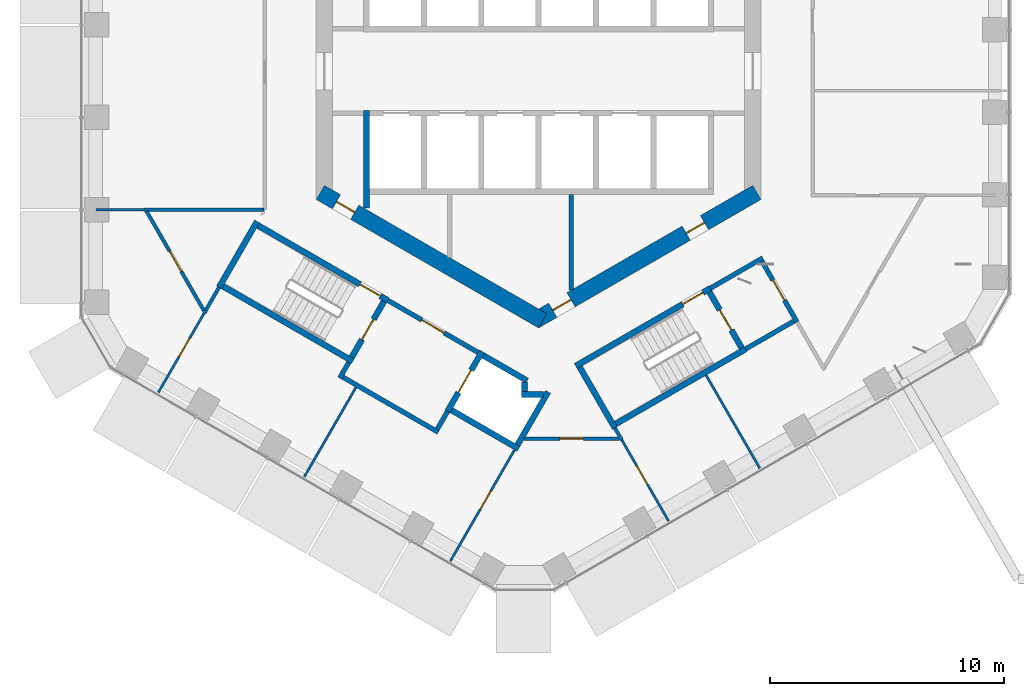
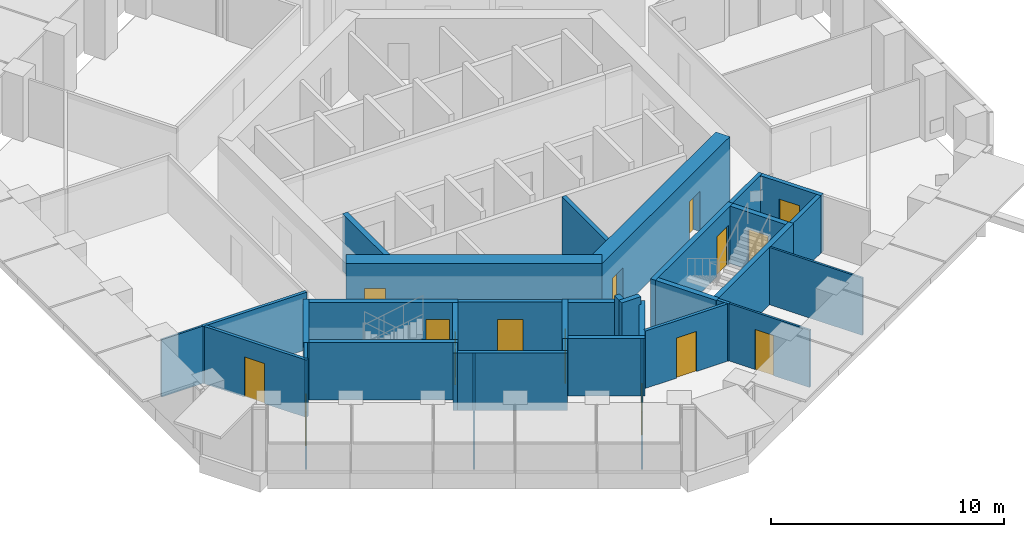
# One storey, part 13 of 21: 36 walls, 15 doors, 15 openings.
"""IFC4 building model written with IfcOpenShell, lengths in metres."""

from ifc_helpers import new_model, si_unit, direction, frame, frame_2d, origin, place, context, subcontext, project, spatial, rectangle, extrude, material, layer, layer_set, type_object, element, fill, save


model = new_model("IFC4")

# Units and contexts
model_context = context("Model", 3, precision=1e-05, world=origin(), true_north=direction((0.0, 1.0)))
body_context = subcontext(model_context, "Body", "Model", "MODEL_VIEW")
ifc_project = project(units=[si_unit("LENGTHUNIT", "METRE"), si_unit("AREAUNIT", "SQUARE_METRE"), si_unit("VOLUMEUNIT", "CUBIC_METRE"), si_unit("PLANEANGLEUNIT", "RADIAN"), si_unit("MASSUNIT", "GRAM", prefix="KILO")], contexts=[model_context])

# Site, building, storey
site_placement = place(None, origin())
site = spatial("IfcSite", under=ifc_project, at=site_placement, CompositionType="ELEMENT")
building_placement = place(site_placement, origin())
building = spatial("IfcBuilding", under=site, at=building_placement, Name="Ayvan Gate Tower", CompositionType="ELEMENT")
storey_placement = place(building_placement, frame((0.0, 0.0, 117.10009765625)))
storey = spatial("IfcBuildingStorey", under=building, at=storey_placement, Name="L31", CompositionType="ELEMENT", Elevation=117.10009765625)

# Wall, opening, door
ifc_material_1 = material(Name="Concrete C70/85", Category="concrete")
ifc_layer_1 = layer(ifc_material_1, 0.699951171875)
ifc_layer_set_1 = layer_set([ifc_layer_1], Name="Concrete C70/85")
wall_type_1 = type_object("IfcWallType", Name="Core wall 700 C70/85", PredefinedType="SHEAR", material=ifc_layer_set_1)
wall_1_placement = place(storey_placement, frame((-9.324951171875, -5.181640625, 0.0), z_axis=(0.0, 0.0, 1.0), x_axis=(0.866023993627, -0.500002442456, 0.0)))
wall_1 = element("IfcWall", 1, at=wall_1_placement, inside=storey, type_object=wall_type_1, Name="CORE-L31-4", PredefinedType="SHEAR", context=body_context, shape_type="SweptSolid", body=[
    extrude(rectangle(XDim=10.9697265625, YDim=0.699951171875, at=frame_2d((5.48486328125, 0.0))), origin(), (0.0, 0.0, 1.0), 3.39990234375),
])
opening_1_placement = place(wall_1_placement, frame((0.800537109375, 0.0, 0.0)))
opening_1 = element("IfcOpeningElement", 2, at=opening_1_placement, cuts=wall_1, Name="Opening L31-D34", PredefinedType="OPENING", context=body_context, shape_type="SweptSolid", body=[
    extrude(rectangle(XDim=0.89990234375, YDim=2.10009765625, at=frame_2d((0.449951171875, 1.050048828125))), frame((0.0, 0.35986328125, 0.0), z_axis=(0.0, -1.0, 0.0), x_axis=(1.0, 0.0, 0.0)), (0.0, 0.0, 1.0), 0.719970703125),
])
ifc_material_2 = material(Name="Timber door leaf", Category="wood")
door_type_1 = type_object("IfcDoorType", Name="DT-900", OperationType="NOTDEFINED", PredefinedType="DOOR", material=ifc_material_2)
door_1_placement = place(opening_1_placement, origin())
door_1 = element("IfcDoor", 3, at=door_1_placement, inside=storey, type_object=door_type_1, Name="CD-L31-34", OperationType="SINGLE_SWING_LEFT", OverallHeight=2.10009765625, OverallWidth=0.89990234375, PredefinedType="DOOR", context=body_context, shape_type="SweptSolid", body=[
    extrude(rectangle(XDim=0.89990234375, YDim=2.10009765625, at=frame_2d((0.449951171875, 1.050048828125))), frame((0.0, 0.02490234375, 0.0), z_axis=(0.0, -1.0, 0.0), x_axis=(1.0, 0.0, 0.0)), (0.0, 0.0, 1.0), 0.050048828125),
])
fill(opening_1, door_1)

# Wall, openings, doors
wall_2_placement = place(storey_placement, frame((-0.175048828125, -10.66650390625, 0.0), z_axis=(0.0, 0.0, 1.0), x_axis=(0.866023993627, 0.500002442456, 0.0)))
wall_2 = element("IfcWall", 4, at=wall_2_placement, inside=storey, type_object=wall_type_1, Name="CORE-L31-5", PredefinedType="SHEAR", context=body_context, shape_type="SweptSolid", body=[
    extrude(rectangle(XDim=10.9697265625, YDim=0.699951171875, at=frame_2d((5.48486328125, 0.0))), origin(), (0.0, 0.0, 1.0), 3.39990234375),
])
opening_2_placement = place(wall_2_placement, frame((0.89990234375, 0.0, 0.0)))
opening_2 = element("IfcOpeningElement", 5, at=opening_2_placement, cuts=wall_2, Name="Opening L31-D35", PredefinedType="OPENING", context=body_context, shape_type="SweptSolid", body=[
    extrude(rectangle(XDim=0.89990234375, YDim=2.10009765625, at=frame_2d((0.449951171875, 1.050048828125))), frame((0.0, 0.35986328125, 0.0), z_axis=(0.0, -1.0, 0.0), x_axis=(1.0, 0.0, 0.0)), (0.0, 0.0, 1.0), 0.719970703125),
])
opening_3_placement = place(wall_2_placement, frame((7.4833984375, 0.0, 0.0)))
opening_3 = element("IfcOpeningElement", 6, at=opening_3_placement, cuts=wall_2, Name="Opening L31-D36", PredefinedType="OPENING", context=body_context, shape_type="SweptSolid", body=[
    extrude(rectangle(XDim=0.89990234375, YDim=2.10009765625, at=frame_2d((0.449951171875, 1.050048828125))), frame((0.0, 0.35986328125, 0.0), z_axis=(0.0, -1.0, 0.0), x_axis=(1.0, 0.0, 0.0)), (0.0, 0.0, 1.0), 0.719970703125),
])
door_2_placement = place(opening_2_placement, origin())
door_2 = element("IfcDoor", 7, at=door_2_placement, inside=storey, type_object=door_type_1, Name="CD-L31-35", OperationType="SINGLE_SWING_RIGHT", OverallHeight=2.10009765625, OverallWidth=0.89990234375, PredefinedType="DOOR", context=body_context, shape_type="SweptSolid", body=[
    extrude(rectangle(XDim=0.89990234375, YDim=2.10009765625, at=frame_2d((0.449951171875, 1.050048828125))), frame((0.0, 0.02490234375, 0.0), z_axis=(0.0, -1.0, 0.0), x_axis=(1.0, 0.0, 0.0)), (0.0, 0.0, 1.0), 0.050048828125),
])
fill(opening_2, door_2)
door_3_placement = place(opening_3_placement, origin())
door_3 = element("IfcDoor", 8, at=door_3_placement, inside=storey, type_object=door_type_1, Name="CD-L31-36", OperationType="SINGLE_SWING_LEFT", OverallHeight=2.10009765625, OverallWidth=0.89990234375, PredefinedType="DOOR", context=body_context, shape_type="SweptSolid", body=[
    extrude(rectangle(XDim=0.89990234375, YDim=2.10009765625, at=frame_2d((0.449951171875, 1.050048828125))), frame((0.0, 0.02490234375, 0.0), z_axis=(0.0, -1.0, 0.0), x_axis=(1.0, 0.0, 0.0)), (0.0, 0.0, 1.0), 0.050048828125),
])
fill(opening_3, door_3)

# Wall
ifc_material_3 = material(Name="Plasterboard on steel stud", Category="steel")
ifc_layer_2 = layer(ifc_material_3, 0.14990234375)
ifc_layer_set_2 = layer_set([ifc_layer_2], Name="Plasterboard on steel stud")
wall_type_2 = type_object("IfcWallType", Name="WT-CORR-150", PredefinedType="PARTITIONING", material=ifc_layer_set_2)
wall_3_placement = place(storey_placement, frame((-16.858642578125, -5.91650390625, 0.0), z_axis=(0.0, 0.0, 1.0), x_axis=(1.0, 0.0, 0.0)))
element("IfcWall", 9, at=wall_3_placement, inside=storey, type_object=wall_type_2, Name="IW-L31-002", PredefinedType="PARTITIONING", context=body_context, shape_type="SweptSolid", body=[
    extrude(rectangle(XDim=5.12890625, YDim=0.14990234375, at=frame_2d((2.564453125, 0.0))), origin(), (0.0, 0.0, 1.0), 3.0),
])

# Wall, opening, door
wall_4_placement = place(storey_placement, frame((-14.21923828125, -10.358154296875, 0.0), z_axis=(0.0, 0.0, 1.0), x_axis=(-0.499973348067, 0.866040790738, 0.0)))
wall_4 = element("IfcWall", 10, at=wall_4_placement, inside=storey, type_object=wall_type_2, Name="IW-L31-005", PredefinedType="PARTITIONING", context=body_context, shape_type="SweptSolid", body=[
    extrude(rectangle(XDim=5.053955078125, YDim=0.14990234375, at=frame_2d((2.52685546875, 0.0))), origin(), (0.0, 0.0, 1.0), 3.0),
])
opening_4_placement = place(wall_4_placement, frame((2.081787109375, 0.0, 0.0)))
opening_4 = element("IfcOpeningElement", 11, at=opening_4_placement, cuts=wall_4, Name="Opening L31-D23", PredefinedType="OPENING", context=body_context, shape_type="SweptSolid", body=[
    extrude(rectangle(XDim=1.0, YDim=2.10009765625, at=frame_2d((0.5, 1.050048828125))), frame((0.0, 0.0849609375, 0.0), z_axis=(0.0, -1.0, 0.0), x_axis=(1.0, 0.0, 0.0)), (0.0, 0.0, 1.0), 0.169921875),
])
door_type_2 = type_object("IfcDoorType", Name="DT-1000", OperationType="NOTDEFINED", PredefinedType="DOOR", material=ifc_material_2)
door_4_placement = place(opening_4_placement, origin())
door_4 = element("IfcDoor", 12, at=door_4_placement, inside=storey, type_object=door_type_2, Name="ID-L31-023", OperationType="SINGLE_SWING_RIGHT", OverallHeight=2.10009765625, OverallWidth=1.0, PredefinedType="DOOR", context=body_context, shape_type="SweptSolid", body=[
    extrude(rectangle(XDim=1.0, YDim=2.10009765625, at=frame_2d((0.5, 1.050048828125))), frame((0.0, 0.02490234375, 0.0), z_axis=(0.0, -1.0, 0.0), x_axis=(1.0, 0.0, 0.0)), (0.0, 0.0, 1.0), 0.050048828125),
])
fill(opening_4, door_4)

# Walls
wall_5_placement = place(storey_placement, frame((-13.647705078125, -9.23876953125, 0.0), z_axis=(0.0, 0.0, 1.0), x_axis=(-0.50016012799, -0.865932934106, 0.0)))
element("IfcWall", 13, at=wall_5_placement, inside=storey, type_object=wall_type_2, Name="IW-L31-008", PredefinedType="PARTITIONING", context=body_context, shape_type="SweptSolid", body=[
    extrude(rectangle(XDim=1.142822265625, YDim=0.14990234375, at=frame_2d((0.5712890625, 0.0))), origin(), (0.0, 0.0, 1.0), 3.0),
])
wall_6_placement = place(storey_placement, frame((3.255615234375, -15.23876953125, 0.0), z_axis=(0.0, 0.0, 1.0), x_axis=(0.499816412211, -0.866131372301, 0.0)))
element("IfcWall", 14, at=wall_6_placement, inside=storey, type_object=wall_type_2, Name="IW-L31-062", PredefinedType="PARTITIONING", context=body_context, shape_type="SweptSolid", body=[
    extrude(rectangle(XDim=0.599853515625, YDim=0.14990234375, at=frame_2d((0.2998046875, 0.0))), origin(), (0.0, 0.0, 1.0), 3.0),
])

# Wall, opening, door
wall_7_placement = place(storey_placement, frame((3.44287109375, -15.693359375, 0.0), z_axis=(0.0, 0.0, 1.0), x_axis=(-1.0, 0.0, 0.0)))
wall_7 = element("IfcWall", 15, at=wall_7_placement, inside=storey, type_object=wall_type_2, Name="IW-L31-065", PredefinedType="PARTITIONING", context=body_context, shape_type="SweptSolid", body=[
    extrude(rectangle(XDim=4.064453125, YDim=0.14990234375, at=frame_2d((2.0322265625, 0.0))), origin(), (0.0, 0.0, 1.0), 3.0),
])
opening_5_placement = place(wall_7_placement, frame((1.5322265625, 0.0, 0.0)))
opening_5 = element("IfcOpeningElement", 16, at=opening_5_placement, cuts=wall_7, Name="Opening L31-D25", PredefinedType="OPENING", context=body_context, shape_type="SweptSolid", body=[
    extrude(rectangle(XDim=1.0, YDim=2.10009765625, at=frame_2d((0.5, 1.050048828125))), frame((0.0, 0.0849609375, 0.0), z_axis=(0.0, -1.0, 0.0), x_axis=(1.0, 0.0, 0.0)), (0.0, 0.0, 1.0), 0.169921875),
])
door_5_placement = place(opening_5_placement, origin())
door_5 = element("IfcDoor", 17, at=door_5_placement, inside=storey, type_object=door_type_2, Name="ID-L31-025", OperationType="SINGLE_SWING_RIGHT", OverallHeight=2.10009765625, OverallWidth=1.0, PredefinedType="DOOR", context=body_context, shape_type="SweptSolid", body=[
    extrude(rectangle(XDim=1.0, YDim=2.10009765625, at=frame_2d((0.5, 1.050048828125))), frame((0.0, 0.02490234375, 0.0), z_axis=(0.0, -1.0, 0.0), x_axis=(1.0, 0.0, 0.0)), (0.0, 0.0, 1.0), 0.050048828125),
])
fill(opening_5, door_5)

# Wall
ifc_layer_3 = layer(ifc_material_3, 0.10009765625)
ifc_layer_set_3 = layer_set([ifc_layer_3], Name="Plasterboard on steel stud")
wall_type_3 = type_object("IfcWallType", Name="WT-PART-100", PredefinedType="PARTITIONING", material=ifc_layer_set_3)
wall_8_placement = place(storey_placement, frame((-16.8583984375, -5.91650390625, 0.0), z_axis=(0.0, 0.0, 1.0), x_axis=(-1.0, 0.0, 0.0)))
element("IfcWall", 18, at=wall_8_placement, inside=storey, type_object=wall_type_3, Name="IW-L31-003", PredefinedType="PARTITIONING", context=body_context, shape_type="SweptSolid", body=[
    extrude(rectangle(XDim=2.03369140625, YDim=0.10009765625, at=frame_2d((1.016845703125, 0.0))), origin(), (0.0, 0.0, 1.0), 3.0),
])

# Wall, opening, door
wall_9_placement = place(storey_placement, frame((-14.294189453125, -10.358154296875, 0.0), z_axis=(0.0, 0.0, 1.0), x_axis=(-0.499994147244, -0.866028782848, 0.0)))
wall_9 = element("IfcWall", 19, at=wall_9_placement, inside=storey, type_object=wall_type_3, Name="IW-L31-006", PredefinedType="PARTITIONING", context=body_context, shape_type="SweptSolid", body=[
    extrude(rectangle(XDim=3.88916015625, YDim=0.10009765625, at=frame_2d((1.944580078125, 0.0))), origin(), (0.0, 0.0, 1.0), 3.0),
])
opening_6_placement = place(wall_9_placement, frame((1.23388671875, 0.0, 0.0)))
opening_6 = element("IfcOpeningElement", 20, at=opening_6_placement, cuts=wall_9, Name="Opening L31-D24", PredefinedType="OPENING", context=body_context, shape_type="SweptSolid", body=[
    extrude(rectangle(XDim=0.89990234375, YDim=2.10009765625, at=frame_2d((0.449951171875, 1.050048828125))), frame((0.0, 0.06005859375, 0.0), z_axis=(0.0, -1.0, 0.0), x_axis=(1.0, 0.0, 0.0)), (0.0, 0.0, 1.0), 0.1201171875),
])
door_6_placement = place(opening_6_placement, origin())
door_6 = element("IfcDoor", 21, at=door_6_placement, inside=storey, type_object=door_type_1, Name="ID-L31-024", OperationType="SINGLE_SWING_LEFT", OverallHeight=2.10009765625, OverallWidth=0.89990234375, PredefinedType="DOOR", context=body_context, shape_type="SweptSolid", body=[
    extrude(rectangle(XDim=0.89990234375, YDim=2.10009765625, at=frame_2d((0.449951171875, 1.050048828125))), frame((0.0, 0.02490234375, 0.0), z_axis=(0.0, -1.0, 0.0), x_axis=(1.0, 0.0, 0.0)), (0.0, 0.0, 1.0), 0.050048828125),
])
fill(opening_6, door_6)

# Wall
wall_10_placement = place(storey_placement, frame((-7.800048828125, -13.510009765625, 0.0), z_axis=(0.0, 0.0, 1.0), x_axis=(-0.5000181976, -0.86601489714, 0.0)))
element("IfcWall", 22, at=wall_10_placement, inside=storey, type_object=wall_type_3, Name="IW-L31-017", PredefinedType="PARTITIONING", context=body_context, shape_type="SweptSolid", body=[
    extrude(rectangle(XDim=4.406494140625, YDim=0.10009765625, at=frame_2d((2.203125, 0.0))), origin(), (0.0, 0.0, 1.0), 3.0),
])

# Wall, opening, door
wall_11_placement = place(storey_placement, frame((-3.767822265625, -20.92626953125, 0.0), z_axis=(0.0, 0.0, 1.0), x_axis=(0.499980760091, 0.866036511666, 0.0)))
wall_11 = element("IfcWall", 23, at=wall_11_placement, inside=storey, type_object=wall_type_3, Name="IW-L31-033", PredefinedType="PARTITIONING", context=body_context, shape_type="SweptSolid", body=[
    extrude(rectangle(XDim=5.481689453125, YDim=0.10009765625, at=frame_2d((2.74072265625, 0.0))), origin(), (0.0, 0.0, 1.0), 3.0),
])
opening_7_placement = place(wall_11_placement, frame((2.55126953125, 0.0, 0.0)))
opening_7 = element("IfcOpeningElement", 24, at=opening_7_placement, cuts=wall_11, Name="Opening L31-D26", PredefinedType="OPENING", context=body_context, shape_type="SweptSolid", body=[
    extrude(rectangle(XDim=0.89990234375, YDim=2.10009765625, at=frame_2d((0.449951171875, 1.050048828125))), frame((0.0, 0.06005859375, 0.0), z_axis=(0.0, -1.0, 0.0), x_axis=(1.0, 0.0, 0.0)), (0.0, 0.0, 1.0), 0.1201171875),
])
door_7_placement = place(opening_7_placement, origin())
door_7 = element("IfcDoor", 25, at=door_7_placement, inside=storey, type_object=door_type_1, Name="ID-L31-026", OperationType="SINGLE_SWING_LEFT", OverallHeight=2.10009765625, OverallWidth=0.89990234375, PredefinedType="DOOR", context=body_context, shape_type="SweptSolid", body=[
    extrude(rectangle(XDim=0.89990234375, YDim=2.10009765625, at=frame_2d((0.449951171875, 1.050048828125))), frame((0.0, 0.02490234375, 0.0), z_axis=(0.0, -1.0, 0.0), x_axis=(1.0, 0.0, 0.0)), (0.0, 0.0, 1.0), 0.050048828125),
])
fill(opening_7, door_7)

wall_12_placement = place(storey_placement, frame((3.555419921875, -15.75830078125, 0.0), z_axis=(0.0, 0.0, 1.0), x_axis=(0.500010364181, -0.866019419939, 0.0)))
wall_12 = element("IfcWall", 26, at=wall_12_placement, inside=storey, type_object=wall_type_3, Name="IW-L31-066", PredefinedType="PARTITIONING", context=body_context, shape_type="SweptSolid", body=[
    extrude(rectangle(XDim=3.98828125, YDim=0.10009765625, at=frame_2d((1.994140625, 0.0))), origin(), (0.0, 0.0, 1.0), 3.0),
])
opening_8_placement = place(wall_12_placement, frame((1.28369140625, 0.0, 0.0)))
opening_8 = element("IfcOpeningElement", 27, at=opening_8_placement, cuts=wall_12, Name="Opening L31-D27", PredefinedType="OPENING", context=body_context, shape_type="SweptSolid", body=[
    extrude(rectangle(XDim=0.89990234375, YDim=2.10009765625, at=frame_2d((0.449951171875, 1.050048828125))), frame((0.0, 0.06005859375, 0.0), z_axis=(0.0, -1.0, 0.0), x_axis=(1.0, 0.0, 0.0)), (0.0, 0.0, 1.0), 0.1201171875),
])
door_8_placement = place(opening_8_placement, origin())
door_8 = element("IfcDoor", 28, at=door_8_placement, inside=storey, type_object=door_type_1, Name="ID-L31-027", OperationType="SINGLE_SWING_RIGHT", OverallHeight=2.10009765625, OverallWidth=0.89990234375, PredefinedType="DOOR", context=body_context, shape_type="SweptSolid", body=[
    extrude(rectangle(XDim=0.89990234375, YDim=2.10009765625, at=frame_2d((0.449951171875, 1.050048828125))), frame((0.0, 0.02490234375, 0.0), z_axis=(0.0, -1.0, 0.0), x_axis=(1.0, 0.0, 0.0)), (0.0, 0.0, 1.0), 0.050048828125),
])
fill(opening_8, door_8)

# Walls
wall_13_placement = place(storey_placement, frame((7.152587890625, -12.98876953125, 0.0), z_axis=(0.0, 0.0, 1.0), x_axis=(0.500024917322, -0.866011017284, 0.0)))
element("IfcWall", 29, at=wall_13_placement, inside=storey, type_object=wall_type_3, Name="IW-L31-073", PredefinedType="PARTITIONING", context=body_context, shape_type="SweptSolid", body=[
    extrude(rectangle(XDim=4.588134765625, YDim=0.10009765625, at=frame_2d((2.2939453125, 0.0))), origin(), (0.0, 0.0, 1.0), 3.0),
])
ifc_layer_4 = layer(ifc_material_3, 0.199951171875)
ifc_layer_set_4 = layer_set([ifc_layer_4], Name="Plasterboard on steel stud")
wall_type_4 = type_object("IfcWallType", Name="WT-RATED-200", PredefinedType="PARTITIONING", material=ifc_layer_set_4)
wall_14_placement = place(storey_placement, frame((-8.492919921875, -13.110107421875, 0.0), z_axis=(0.0, 0.0, 1.0), x_axis=(0.500067724834, 0.865986299303, 0.0)))
element("IfcWall", 30, at=wall_14_placement, inside=storey, type_object=wall_type_4, Name="IW-L31-015", PredefinedType="PARTITIONING", context=body_context, shape_type="SweptSolid", body=[
    extrude(rectangle(XDim=0.775390625, YDim=0.199951171875, at=frame_2d((0.3876953125, 0.0))), origin(), (0.0, 0.0, 1.0), 3.0),
])
wall_15_placement = place(storey_placement, frame((-8.356201171875, -13.073486328125, 0.0), z_axis=(0.0, 0.0, 1.0), x_axis=(0.866038532462, -0.499977259774, 0.0)))
element("IfcWall", 31, at=wall_15_placement, inside=storey, type_object=wall_type_4, Name="IW-L31-018", PredefinedType="PARTITIONING", context=body_context, shape_type="SweptSolid", body=[
    extrude(rectangle(XDim=4.699951171875, YDim=0.199951171875, at=frame_2d((2.35009765625, 0.0))), origin(), (0.0, 0.0, 1.0), 3.0),
])

# Wall, opening, door
wall_16_placement = place(storey_placement, frame((-6.4345703125, -9.794921875, 0.0), z_axis=(0.0, 0.0, 1.0), x_axis=(0.866012907634, -0.500021643343, 0.0)))
wall_16 = element("IfcWall", 32, at=wall_16_placement, inside=storey, type_object=wall_type_4, Name="IW-L31-025", PredefinedType="PARTITIONING", context=body_context, shape_type="SweptSolid", body=[
    extrude(rectangle(XDim=4.449951171875, YDim=0.199951171875, at=frame_2d((2.22509765625, 0.0))), origin(), (0.0, 0.0, 1.0), 3.0),
])
opening_9_placement = place(wall_16_placement, frame((1.675048828125, 0.0, 0.0)))
opening_9 = element("IfcOpeningElement", 33, at=opening_9_placement, cuts=wall_16, Name="Opening L31-D12", PredefinedType="OPENING", context=body_context, shape_type="SweptSolid", body=[
    extrude(rectangle(XDim=1.10009765625, YDim=2.10009765625, at=frame_2d((0.550048828125, 1.050048828125))), frame((0.0, 0.10986328125, 0.0), z_axis=(0.0, -1.0, 0.0), x_axis=(1.0, 0.0, 0.0)), (0.0, 0.0, 1.0), 0.219970703125),
])
door_type_3 = type_object("IfcDoorType", Name="DT-1100", OperationType="NOTDEFINED", PredefinedType="DOOR", material=ifc_material_2)
door_9_placement = place(opening_9_placement, origin())
door_9 = element("IfcDoor", 34, at=door_9_placement, inside=storey, type_object=door_type_3, Name="ID-L31-012", OperationType="SINGLE_SWING_LEFT", OverallHeight=2.10009765625, OverallWidth=1.10009765625, PredefinedType="DOOR", context=body_context, shape_type="SweptSolid", body=[
    extrude(rectangle(XDim=1.10009765625, YDim=2.10009765625, at=frame_2d((0.550048828125, 1.050048828125))), frame((0.0, 0.02490234375, 0.0), z_axis=(0.0, -1.0, 0.0), x_axis=(1.0, 0.0, 0.0)), (0.0, 0.0, 1.0), 0.050048828125),
])
fill(opening_9, door_9)

# Walls
wall_17_placement = place(storey_placement, frame((-3.885009765625, -14.52880859375, 0.0), z_axis=(0.0, 0.0, 1.0), x_axis=(-0.499859285417, -0.866106630146, 0.0)))
element("IfcWall", 35, at=wall_17_placement, inside=storey, type_object=wall_type_4, Name="IW-L31-031", PredefinedType="PARTITIONING", context=body_context, shape_type="SweptSolid", body=[
    extrude(rectangle(XDim=0.875244140625, YDim=0.199951171875, at=frame_2d((0.4375, 0.0))), origin(), (0.0, 0.0, 1.0), 3.0),
])
wall_18_placement = place(storey_placement, frame((1.39990234375, -5.27490234375, 0.0), z_axis=(0.0, 0.0, 1.0), x_axis=(0.0, -1.0, 0.0)))
element("IfcWall", 36, at=wall_18_placement, inside=storey, type_object=wall_type_4, Name="IW-L31-056", PredefinedType="PARTITIONING", context=body_context, shape_type="SweptSolid", body=[
    extrude(rectangle(XDim=4.078125, YDim=0.199951171875, at=frame_2d((2.0390625, 0.0))), origin(), (0.0, 0.0, 1.0), 3.0),
])
wall_19_placement = place(storey_placement, frame((7.343994140625, -9.27001953125, 0.0), z_axis=(0.0, 0.0, 1.0), x_axis=(0.866005588531, 0.500034319456, 0.0)))
element("IfcWall", 37, at=wall_19_placement, inside=storey, type_object=wall_type_4, Name="IW-L31-076", PredefinedType="PARTITIONING", context=body_context, shape_type="SweptSolid", body=[
    extrude(rectangle(XDim=2.574951171875, YDim=0.199951171875, at=frame_2d((1.28759765625, 0.0))), origin(), (0.0, 0.0, 1.0), 3.0),
])

# Wall, opening, door
wall_20_placement = place(storey_placement, frame((9.537353515625, -8.119140625, 0.0), z_axis=(0.0, 0.0, 1.0), x_axis=(0.499990139034, -0.866031096941, 0.0)))
wall_20 = element("IfcWall", 38, at=wall_20_placement, inside=storey, type_object=wall_type_4, Name="IW-L31-084", PredefinedType="PARTITIONING", context=body_context, shape_type="SweptSolid", body=[
    extrude(rectangle(XDim=3.0, YDim=0.199951171875, at=frame_2d((1.5, 0.0))), origin(), (0.0, 0.0, 1.0), 3.0),
])
opening_10_placement = place(wall_20_placement, frame((0.93505859375, 0.0, 0.0)))
opening_10 = element("IfcOpeningElement", 39, at=opening_10_placement, cuts=wall_20, Name="Opening L31-D15", PredefinedType="OPENING", context=body_context, shape_type="SweptSolid", body=[
    extrude(rectangle(XDim=1.0, YDim=2.10009765625, at=frame_2d((0.5, 1.050048828125))), frame((0.0, 0.10986328125, 0.0), z_axis=(0.0, -1.0, 0.0), x_axis=(1.0, 0.0, 0.0)), (0.0, 0.0, 1.0), 0.219970703125),
])
door_10_placement = place(opening_10_placement, origin())
door_10 = element("IfcDoor", 40, at=door_10_placement, inside=storey, type_object=door_type_2, Name="ID-L31-015", OperationType="SINGLE_SWING_RIGHT", OverallHeight=2.10009765625, OverallWidth=1.0, PredefinedType="DOOR", context=body_context, shape_type="SweptSolid", body=[
    extrude(rectangle(XDim=1.0, YDim=2.10009765625, at=frame_2d((0.5, 1.050048828125))), frame((0.0, 0.02490234375, 0.0), z_axis=(0.0, -1.0, 0.0), x_axis=(1.0, 0.0, 0.0)), (0.0, 0.0, 1.0), 0.050048828125),
])
fill(opening_10, door_10)

# Walls
wall_21_placement = place(storey_placement, frame((10.900634765625, -10.6806640625, 0.0), z_axis=(0.0, 0.0, 1.0), x_axis=(-0.866007538022, -0.500030943131, 0.0)))
element("IfcWall", 41, at=wall_21_placement, inside=storey, type_object=wall_type_4, Name="IW-L31-085", PredefinedType="PARTITIONING", context=body_context, shape_type="SweptSolid", body=[
    extrude(rectangle(XDim=2.374755859375, YDim=0.199951171875, at=frame_2d((1.1875, 0.0))), origin(), (0.0, 0.0, 1.0), 3.0),
])
ifc_material_4 = material(Name="Concrete C50/60", Category="concrete")
ifc_layer_5 = layer(ifc_material_4, 0.25)
ifc_layer_set_5 = layer_set([ifc_layer_5], Name="Concrete C50/60")
wall_type_5 = type_object("IfcWallType", Name="WT-RC-250", PredefinedType="SHEAR", material=ifc_layer_set_5)
wall_22_placement = place(storey_placement, frame((-13.64794921875, -9.23876953125, 0.0), z_axis=(0.0, 0.0, 1.0), x_axis=(0.500017246033, 0.866015446554, 0.0)))
element("IfcWall", 42, at=wall_22_placement, inside=storey, type_object=wall_type_5, Name="IW-L31-007", PredefinedType="SHEAR", context=body_context, shape_type="SweptSolid", body=[
    extrude(rectangle(XDim=3.25, YDim=0.25, at=frame_2d((1.625, 0.0))), origin(), (0.0, 0.0, 1.0), 3.0),
])

# Wall, opening, door
wall_23_placement = place(storey_placement, frame((-11.97705078125, -6.594970703125, 0.0), z_axis=(0.0, 0.0, 1.0), x_axis=(0.866025499775, -0.499999833739, 0.0)))
wall_23 = element("IfcWall", 43, at=wall_23_placement, inside=storey, type_object=wall_type_5, Name="IW-L31-010", PredefinedType="SHEAR", context=body_context, shape_type="SweptSolid", body=[
    extrude(rectangle(XDim=6.39990234375, YDim=0.25, at=frame_2d((3.199951171875, 0.0))), origin(), (0.0, 0.0, 1.0), 3.0),
])
opening_11_placement = place(wall_23_placement, frame((5.02490234375, 0.0, 0.0)))
opening_11 = element("IfcOpeningElement", 44, at=opening_11_placement, cuts=wall_23, Name="Opening L31-D10", PredefinedType="OPENING", context=body_context, shape_type="SweptSolid", body=[
    extrude(rectangle(XDim=1.0, YDim=2.10009765625, at=frame_2d((0.5, 1.050048828125))), frame((0.0, 0.135009765625, 0.0), z_axis=(0.0, -1.0, 0.0), x_axis=(1.0, 0.0, 0.0)), (0.0, 0.0, 1.0), 0.27001953125),
])
door_11_placement = place(opening_11_placement, origin())
door_11 = element("IfcDoor", 45, at=door_11_placement, inside=storey, type_object=door_type_2, Name="ID-L31-010", OperationType="SINGLE_SWING_LEFT", OverallHeight=2.10009765625, OverallWidth=1.0, PredefinedType="DOOR", context=body_context, shape_type="SweptSolid", body=[
    extrude(rectangle(XDim=1.0, YDim=2.10009765625, at=frame_2d((0.5, 1.050048828125))), frame((0.0, 0.02490234375, 0.0), z_axis=(0.0, -1.0, 0.0), x_axis=(1.0, 0.0, 0.0)), (0.0, 0.0, 1.0), 0.050048828125),
])
fill(opening_11, door_11)

# Walls
wall_24_placement = place(storey_placement, frame((-7.9345703125, -12.39306640625, 0.0), z_axis=(0.0, 0.0, 1.0), x_axis=(-0.866025499775, 0.499999833739, 0.0)))
element("IfcWall", 46, at=wall_24_placement, inside=storey, type_object=wall_type_5, Name="IW-L31-016", PredefinedType="SHEAR", context=body_context, shape_type="SweptSolid", body=[
    extrude(rectangle(XDim=6.39990234375, YDim=0.25, at=frame_2d((3.199951171875, 0.0))), origin(), (0.0, 0.0, 1.0), 3.0),
])
wall_25_placement = place(storey_placement, frame((-7.35009765625, -5.845703125, 0.0), z_axis=(0.0, 0.0, 1.0), x_axis=(0.0, 1.0, 0.0)))
element("IfcWall", 47, at=wall_25_placement, inside=storey, type_object=wall_type_5, Name="IW-L31-020", PredefinedType="SHEAR", context=body_context, shape_type="SweptSolid", body=[
    extrude(rectangle(XDim=4.170654296875, YDim=0.25, at=frame_2d((2.08544921875, 0.0))), origin(), (0.0, 0.0, 1.0), 3.0),
])

# Wall, opening, door
wall_26_placement = place(storey_placement, frame((-6.605224609375, -9.8408203125, 0.0), z_axis=(0.0, 0.0, 1.0), x_axis=(-0.499996545922, -0.866027397988, 0.0)))
wall_26 = element("IfcWall", 48, at=wall_26_placement, inside=storey, type_object=wall_type_5, Name="IW-L31-024", PredefinedType="SHEAR", context=body_context, shape_type="SweptSolid", body=[
    extrude(rectangle(XDim=2.75, YDim=0.25, at=frame_2d((1.375, 0.0))), origin(), (0.0, 0.0, 1.0), 3.0),
])
opening_12_placement = place(wall_26_placement, frame((0.875, 0.0, 0.0)))
opening_12 = element("IfcOpeningElement", 49, at=opening_12_placement, cuts=wall_26, Name="Opening L31-D11", PredefinedType="OPENING", context=body_context, shape_type="SweptSolid", body=[
    extrude(rectangle(XDim=1.0, YDim=2.10009765625, at=frame_2d((0.5, 1.050048828125))), frame((0.0, 0.135009765625, 0.0), z_axis=(0.0, -1.0, 0.0), x_axis=(1.0, 0.0, 0.0)), (0.0, 0.0, 1.0), 0.27001953125),
])
door_12_placement = place(opening_12_placement, origin())
door_12 = element("IfcDoor", 50, at=door_12_placement, inside=storey, type_object=door_type_2, Name="ID-L31-011", OperationType="SINGLE_SWING_RIGHT", OverallHeight=2.10009765625, OverallWidth=1.0, PredefinedType="DOOR", context=body_context, shape_type="SweptSolid", body=[
    extrude(rectangle(XDim=1.0, YDim=2.10009765625, at=frame_2d((0.5, 1.050048828125))), frame((0.0, 0.02490234375, 0.0), z_axis=(0.0, -1.0, 0.0), x_axis=(1.0, 0.0, 0.0)), (0.0, 0.0, 1.0), 0.050048828125),
])
fill(opening_12, door_12)

wall_27_placement = place(storey_placement, frame((-2.409912109375, -11.97412109375, 0.0), z_axis=(0.0, 0.0, 1.0), x_axis=(-0.500001826776, -0.866024349092, 0.0)))
wall_27 = element("IfcWall", 51, at=wall_27_placement, inside=storey, type_object=wall_type_5, Name="IW-L31-039", PredefinedType="SHEAR", context=body_context, shape_type="SweptSolid", body=[
    extrude(rectangle(XDim=2.9501953125, YDim=0.25, at=frame_2d((1.47509765625, 0.0))), origin(), (0.0, 0.0, 1.0), 3.0),
])
opening_13_placement = place(wall_27_placement, frame((0.925048828125, 0.0, 0.0)))
opening_13 = element("IfcOpeningElement", 52, at=opening_13_placement, cuts=wall_27, Name="Opening L31-LD-FF2", PredefinedType="OPENING", context=body_context, shape_type="SweptSolid", body=[
    extrude(rectangle(XDim=1.10009765625, YDim=2.10009765625, at=frame_2d((0.550048828125, 1.050048828125))), frame((0.0, 0.135009765625, 0.0), z_axis=(0.0, -1.0, 0.0), x_axis=(1.0, 0.0, 0.0)), (0.0, 0.0, 1.0), 0.27001953125),
])
ifc_material_5 = material(Name="Stainless steel landing door", Category="steel")
door_type_4 = type_object("IfcDoorType", Name="DT-LANDING-1100", OperationType="SLIDING_TO_LEFT", PredefinedType="DOOR", material=ifc_material_5)
door_13_placement = place(opening_13_placement, origin())
door_13 = element("IfcDoor", 53, at=door_13_placement, inside=storey, type_object=door_type_4, Name="ID-L31-013", OperationType="SLIDING_TO_LEFT", OverallHeight=2.10009765625, OverallWidth=1.10009765625, PredefinedType="DOOR", context=body_context, shape_type="SweptSolid", body=[
    extrude(rectangle(XDim=1.10009765625, YDim=2.10009765625, at=frame_2d((0.550048828125, 1.050048828125))), frame((0.0, 0.02490234375, 0.0), z_axis=(0.0, -1.0, 0.0), x_axis=(1.0, 0.0, 0.0)), (0.0, 0.0, 1.0), 0.050048828125),
])
fill(opening_13, door_13)

# Walls
wall_28_placement = place(storey_placement, frame((-2.3642578125, -12.14501953125, 0.0), z_axis=(0.0, 0.0, 1.0), x_axis=(0.86603892542, -0.499976579108, 0.0)))
element("IfcWall", 54, at=wall_28_placement, inside=storey, type_object=wall_type_5, Name="IW-L31-040", PredefinedType="SHEAR", context=body_context, shape_type="SweptSolid", body=[
    extrude(rectangle(XDim=2.162109375, YDim=0.25, at=frame_2d((1.0810546875, 0.0))), origin(), (0.0, 0.0, 1.0), 3.0),
])
wall_29_placement = place(storey_placement, frame((-0.8564453125, -16.13330078125, 0.0), z_axis=(0.0, 0.0, 1.0), x_axis=(-0.866021716278, 0.500006386895, 0.0)))
element("IfcWall", 55, at=wall_29_placement, inside=storey, type_object=wall_type_5, Name="IW-L31-044", PredefinedType="SHEAR", context=body_context, shape_type="SweptSolid", body=[
    extrude(rectangle(XDim=3.2998046875, YDim=0.25, at=frame_2d((1.64990234375, 0.0))), origin(), (0.0, 0.0, 1.0), 3.0),
])
wall_30_placement = place(storey_placement, frame((-0.902099609375, -15.96240234375, 0.0), z_axis=(0.0, 0.0, 1.0), x_axis=(0.499981517636, 0.866036074319, 0.0)))
element("IfcWall", 56, at=wall_30_placement, inside=storey, type_object=wall_type_5, Name="IW-L31-045", PredefinedType="SHEAR", context=body_context, shape_type="SweptSolid", body=[
    extrude(rectangle(XDim=2.6103515625, YDim=0.25, at=frame_2d((1.30517578125, 0.0))), origin(), (0.0, 0.0, 1.0), 3.0),
])
wall_31_placement = place(storey_placement, frame((-0.72509765625, -13.81005859375, 0.0), z_axis=(0.0, 0.0, 1.0), x_axis=(1.0, 0.0, 0.0)))
element("IfcWall", 57, at=wall_31_placement, inside=storey, type_object=wall_type_5, Name="IW-L31-046", PredefinedType="SHEAR", context=body_context, shape_type="SweptSolid", body=[
    extrude(rectangle(XDim=0.940673828125, YDim=0.25, at=frame_2d((0.47021484375, 0.0))), origin(), (0.0, 0.0, 1.0), 3.39990234375),
])
wall_32_placement = place(storey_placement, frame((-0.60009765625, -13.28857421875, 0.0), z_axis=(0.0, 0.0, 1.0), x_axis=(0.0, -1.0, 0.0)))
element("IfcWall", 58, at=wall_32_placement, inside=storey, type_object=wall_type_5, Name="IW-L31-047", PredefinedType="SHEAR", context=body_context, shape_type="SweptSolid", body=[
    extrude(rectangle(XDim=0.396484375, YDim=0.25, at=frame_2d((0.1982421875, 0.0))), origin(), (0.0, 0.0, 1.0), 3.39990234375),
])

# Wall, opening, door
wall_33_placement = place(storey_placement, frame((1.584716796875, -12.594970703125, 0.0), z_axis=(0.0, 0.0, 1.0), x_axis=(0.866036417653, 0.499980922934, 0.0)))
wall_33 = element("IfcWall", 59, at=wall_33_placement, inside=storey, type_object=wall_type_5, Name="IW-L31-057", PredefinedType="SHEAR", context=body_context, shape_type="SweptSolid", body=[
    extrude(rectangle(XDim=6.650146484375, YDim=0.25, at=frame_2d((3.3251953125, 0.0))), origin(), (0.0, 0.0, 1.0), 3.0),
])
opening_14_placement = place(wall_33_placement, frame((5.27490234375, 0.0, 0.0)))
opening_14 = element("IfcOpeningElement", 60, at=opening_14_placement, cuts=wall_33, Name="Opening L31-D14", PredefinedType="OPENING", context=body_context, shape_type="SweptSolid", body=[
    extrude(rectangle(XDim=1.0, YDim=2.10009765625, at=frame_2d((0.5, 1.050048828125))), frame((0.0, 0.135009765625, 0.0), z_axis=(0.0, -1.0, 0.0), x_axis=(1.0, 0.0, 0.0)), (0.0, 0.0, 1.0), 0.27001953125),
])
door_14_placement = place(opening_14_placement, origin())
door_14 = element("IfcDoor", 61, at=door_14_placement, inside=storey, type_object=door_type_2, Name="ID-L31-014", OperationType="SINGLE_SWING_LEFT", OverallHeight=2.10009765625, OverallWidth=1.0, PredefinedType="DOOR", context=body_context, shape_type="SweptSolid", body=[
    extrude(rectangle(XDim=1.0, YDim=2.10009765625, at=frame_2d((0.5, 1.050048828125))), frame((0.0, 0.02490234375, 0.0), z_axis=(0.0, -1.0, 0.0), x_axis=(1.0, 0.0, 0.0)), (0.0, 0.0, 1.0), 0.050048828125),
])
fill(opening_14, door_14)

# Walls
wall_34_placement = place(storey_placement, frame((3.255615234375, -15.23876953125, 0.0), z_axis=(0.0, 0.0, 1.0), x_axis=(-0.50002537861, 0.866010750942, 0.0)))
element("IfcWall", 62, at=wall_34_placement, inside=storey, type_object=wall_type_5, Name="IW-L31-063", PredefinedType="SHEAR", context=body_context, shape_type="SweptSolid", body=[
    extrude(rectangle(XDim=2.999755859375, YDim=0.25, at=frame_2d((1.5, 0.0))), origin(), (0.0, 0.0, 1.0), 3.0),
])
wall_35_placement = place(storey_placement, frame((3.30126953125, -15.068115234375, 0.0), z_axis=(0.0, 0.0, 1.0), x_axis=(0.866035036182, 0.499983315828, 0.0)))
element("IfcWall", 63, at=wall_35_placement, inside=storey, type_object=wall_type_5, Name="IW-L31-074", PredefinedType="SHEAR", context=body_context, shape_type="SweptSolid", body=[
    extrude(rectangle(XDim=6.400146484375, YDim=0.25, at=frame_2d((3.2001953125, 0.0))), origin(), (0.0, 0.0, 1.0), 3.0),
])

# Wall, opening, door
wall_36_placement = place(storey_placement, frame((7.298095703125, -9.44091796875, 0.0), z_axis=(0.0, 0.0, 1.0), x_axis=(0.500034990121, -0.866005201286, 0.0)))
wall_36 = element("IfcWall", 64, at=wall_36_placement, inside=storey, type_object=wall_type_5, Name="IW-L31-075", PredefinedType="SHEAR", context=body_context, shape_type="SweptSolid", body=[
    extrude(rectangle(XDim=2.749755859375, YDim=0.25, at=frame_2d((1.375, 0.0))), origin(), (0.0, 0.0, 1.0), 3.0),
])
opening_15_placement = place(wall_36_placement, frame((0.875, 0.0, 0.0)))
opening_15 = element("IfcOpeningElement", 65, at=opening_15_placement, cuts=wall_36, Name="Opening L31-D16", PredefinedType="OPENING", context=body_context, shape_type="SweptSolid", body=[
    extrude(rectangle(XDim=1.0, YDim=2.10009765625, at=frame_2d((0.5, 1.050048828125))), frame((0.0, 0.135009765625, 0.0), z_axis=(0.0, -1.0, 0.0), x_axis=(1.0, 0.0, 0.0)), (0.0, 0.0, 1.0), 0.27001953125),
])
door_15_placement = place(opening_15_placement, origin())
door_15 = element("IfcDoor", 66, at=door_15_placement, inside=storey, type_object=door_type_2, Name="ID-L31-016", OperationType="SINGLE_SWING_LEFT", OverallHeight=2.10009765625, OverallWidth=1.0, PredefinedType="DOOR", context=body_context, shape_type="SweptSolid", body=[
    extrude(rectangle(XDim=1.0, YDim=2.10009765625, at=frame_2d((0.5, 1.050048828125))), frame((0.0, 0.02490234375, 0.0), z_axis=(0.0, -1.0, 0.0), x_axis=(1.0, 0.0, 0.0)), (0.0, 0.0, 1.0), 0.050048828125),
])
fill(opening_15, door_15)

save(model, "model.ifc")
